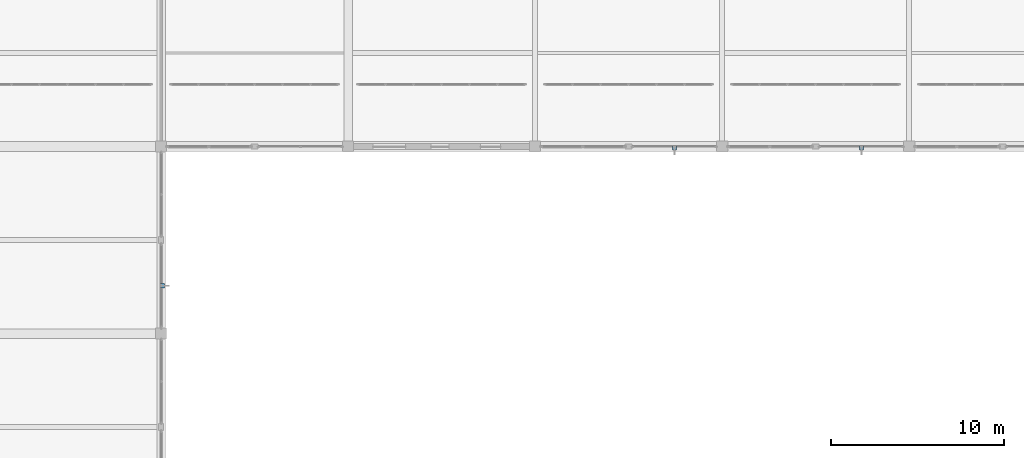
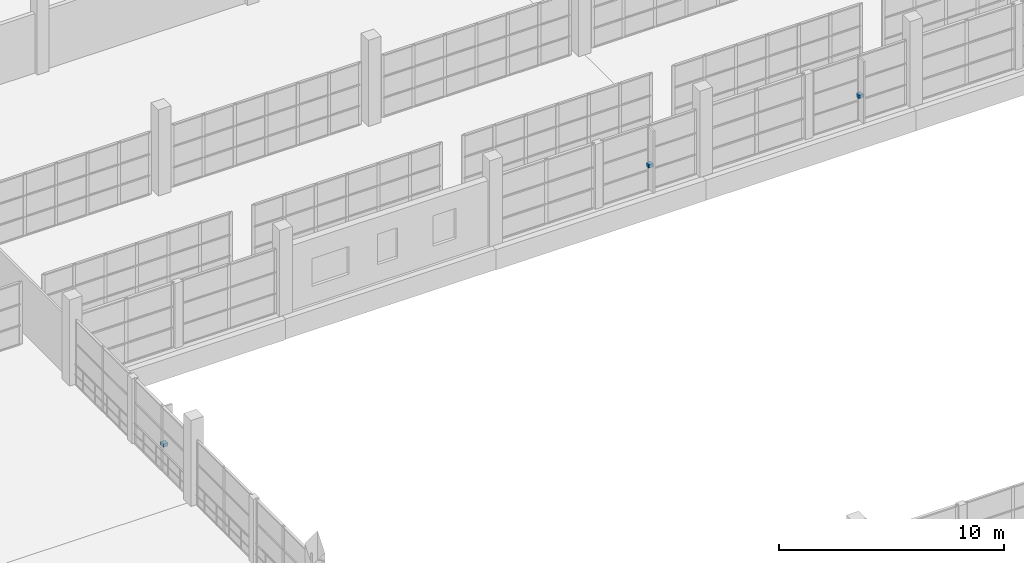
# One storey, part 124 of 142: 3 discrete accessories.
"""IFC4 building model written with IfcOpenShell, lengths in metres."""

from ifc_helpers import new_model, si_unit, direction, frame, origin, origin_2d, place, context, subcontext, project, spatial, rectangle, extrude, material, type_object, element, save


model = new_model("IFC4")

# Units and contexts
model_context = context("Model", 3, precision=1e-05, world=origin(), true_north=direction((0.0, 1.0)))
body_context = subcontext(model_context, "Body", "Model", "MODEL_VIEW")
ifc_project = project(units=[si_unit("LENGTHUNIT", "METRE"), si_unit("AREAUNIT", "SQUARE_METRE"), si_unit("VOLUMEUNIT", "CUBIC_METRE"), si_unit("PLANEANGLEUNIT", "RADIAN"), si_unit("MASSUNIT", "GRAM", prefix="KILO")], contexts=[model_context])

# Site, building, storey
site_placement = place(None, origin())
site = spatial("IfcSite", under=ifc_project, at=site_placement, CompositionType="ELEMENT")
building_placement = place(site_placement, origin())
building = spatial("IfcBuilding", under=site, at=building_placement, Name="Zwinboog Wholesale Market", CompositionType="ELEMENT")
storey_placement = place(building_placement, frame((0.0, 0.0, 5.39990234375)))
storey = spatial("IfcBuildingStorey", under=building, at=storey_placement, Name="L01", CompositionType="ELEMENT", Elevation=5.39990234375)

# Discrete accessories
ifc_material = material(Name="Steel S355", Category="steel")
discrete_accessory_type = type_object("IfcDiscreteAccessoryType", Name="ACC-BRK-S355", PredefinedType="BRACKET", material=ifc_material)
for number, where, z_axis, x_axis, name in (
    (1, (86.489990234375, 78.360107421875, 1.31005859375), (0.0, 0.0, 1.0), (1.0, 0.0, 0.0), "BK-01 (ACC-FBRK-030)"),
    (2, (116.0400390625, 86.324951171875, 1.31005859375), (0.0, 0.0, 1.0), (1.0, 0.0, 0.0), "BK-01 (ACC-FBRK-033)"),
    (3, (126.840087890625, 86.324951171875, 1.31005859375), (0.0, 0.0, 1.0), (1.0, 0.0, 0.0), "BK-01 (ACC-FBRK-034)"),
):
    element("IfcDiscreteAccessory", number, at=place(storey_placement, frame(where, z_axis=z_axis, x_axis=x_axis)), inside=storey, type_object=discrete_accessory_type, Name=name, PredefinedType="BRACKET", context=body_context, shape_type="SweptSolid", body=[
        extrude(rectangle(XDim=0.239990234375, YDim=0.239990234375, at=origin_2d()), origin(), (0.0, 0.0, 1.0), 0.179931640625),
    ])

save(model, "model.ifc")
